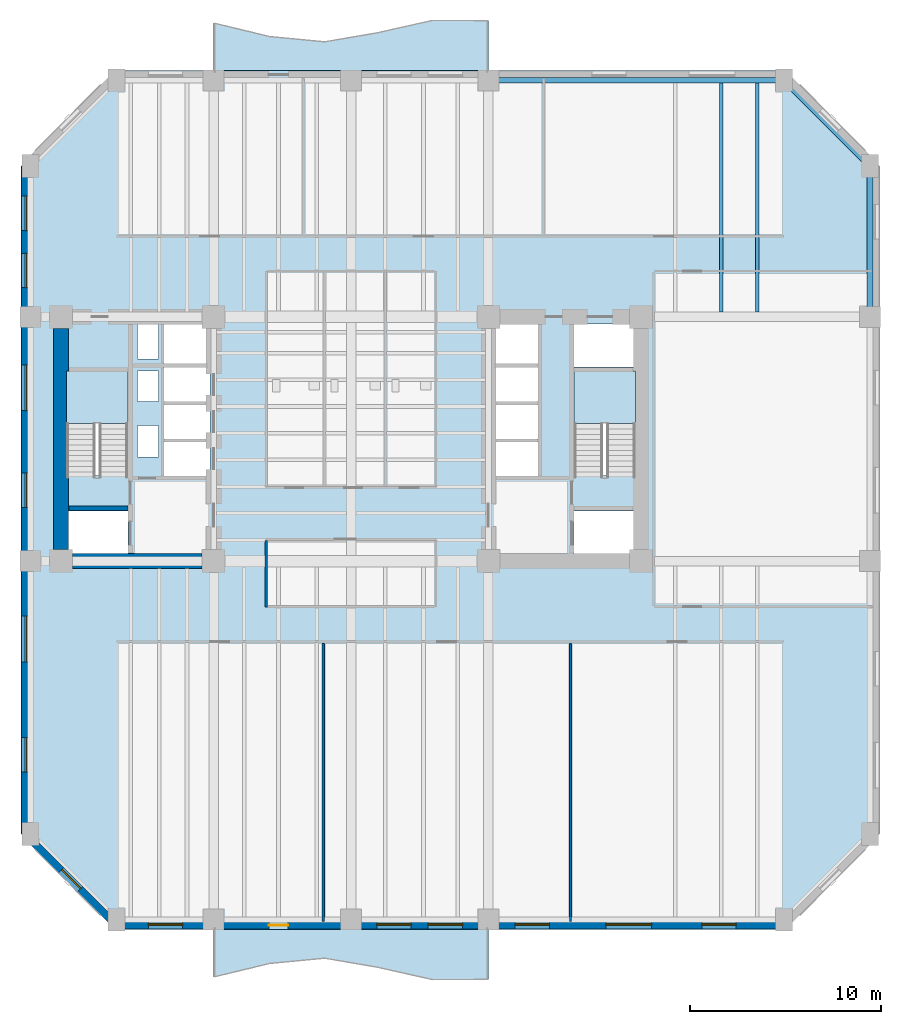
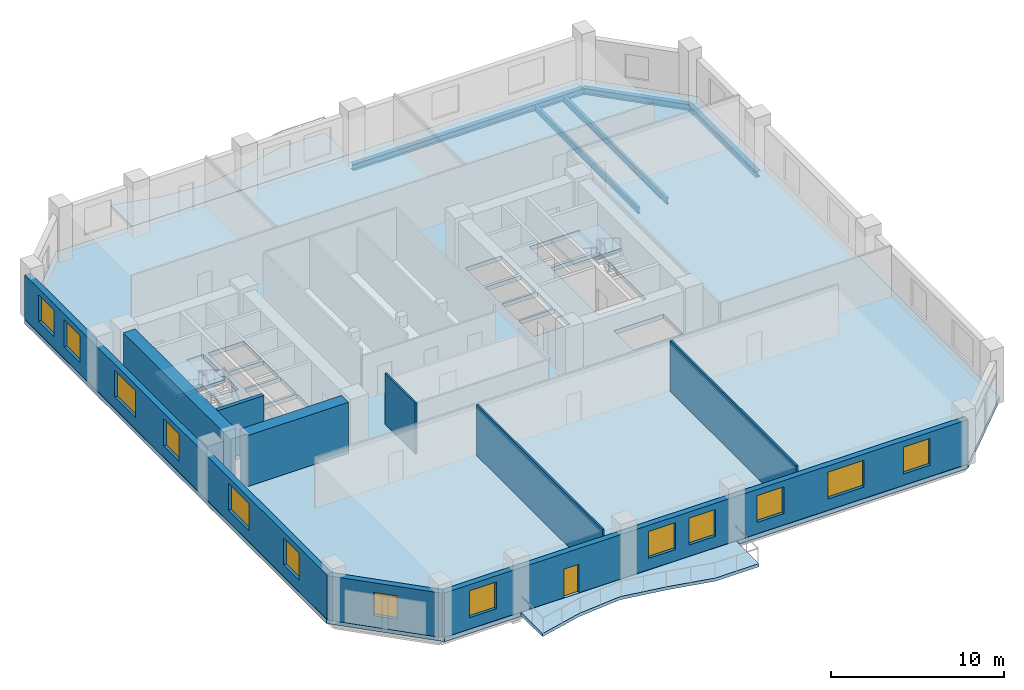
# One storey, part 2 of 9: 13 windows, 9 walls, 5 beams, 5 slabs, 1 door, 14 openings, 2 elements without a shape of their own.
"""IFC4 building model written with IfcOpenShell, lengths in metres."""

from ifc_helpers import new_model, si_unit, direction, frame, frame_2d, origin, origin_2d, place, context, subcontext, project, spatial, polyline, rectangle, i_section, outline, extrude, material, layer, layer_set, material_profile, profile_set, type_object, element, fill, aggregate, save


model = new_model("IFC4")

# Units and contexts
model_context = context("Model", 3, precision=1e-05, world=origin(), true_north=direction((0.0, 1.0)))
body_context = subcontext(model_context, "Body", "Model", "MODEL_VIEW")
ifc_project = project(units=[si_unit("LENGTHUNIT", "METRE"), si_unit("AREAUNIT", "SQUARE_METRE"), si_unit("VOLUMEUNIT", "CUBIC_METRE"), si_unit("PLANEANGLEUNIT", "RADIAN"), si_unit("MASSUNIT", "GRAM", prefix="KILO")], contexts=[model_context])

# Site, building, storey
site_placement = place(None, origin())
site = spatial("IfcSite", under=ifc_project, at=site_placement, CompositionType="ELEMENT")
building_placement = place(site_placement, origin())
building = spatial("IfcBuilding", under=site, at=building_placement, Name="Kranthara Brick Stack", CompositionType="ELEMENT")
storey_placement = place(building_placement, frame((0.0, 0.0, 55.5)))
storey = spatial("IfcBuildingStorey", under=building, at=storey_placement, Name="L13", CompositionType="ELEMENT", Elevation=55.5)

# Beams
ifc_material_1 = material(Name="Steel S355", Category="steel")
ifc_material_profile_1 = material_profile(ifc_material_1, i_section(OverallWidth=0.18994140625, OverallDepth=0.449951171875, WebThickness=0.009521484375, FlangeThickness=0.0146484375, at=origin_2d()), Name="IPE 450")
ifc_profile_set_1 = profile_set([ifc_material_profile_1], Name="Steel S355")
beam_type_1 = type_object("IfcBeamType", Name="BM-JST-IPE450", PredefinedType="JOIST", material=ifc_profile_set_1)
for number, where, z_axis, x_axis, name in (
    (1, (47.39990234375, 33.85009765625, -0.52490234375), (0.0, 1.0, 0.0), (-1.0, 0.0, 0.0), "L13 North Wing Floor Joist 073"),
    (2, (49.300048828125, 33.85009765625, -0.52490234375), (0.0, 1.0, 0.0), (-1.0, 0.0, 0.0), "L13 North Wing Floor Joist 075"),
):
    element("IfcBeam", number, at=place(storey_placement, frame(where, z_axis=z_axis, x_axis=x_axis)), inside=storey, type_object=beam_type_1, Name=name, PredefinedType="JOIST", context=body_context, shape_type="SweptSolid", body=[
        extrude(i_section(OverallWidth=0.18994140625, OverallDepth=0.449951171875, WebThickness=0.009521484375, FlangeThickness=0.0146484375, at=origin_2d()), origin(), (0.0, 0.0, 1.0), 12.0),
    ])
ifc_material_2 = material(Name="Steel S355", Category="steel")
ifc_material_profile_2 = material_profile(ifc_material_2, i_section(OverallWidth=0.300048828125, OverallDepth=0.449951171875, WebThickness=0.013916015625, FlangeThickness=0.02587890625, at=origin_2d()), Name="HEB 450")
ifc_profile_set_2 = profile_set([ifc_material_profile_2], Name="Steel S355")
beam_type_2 = type_object("IfcBeamType", Name="BM-STL-HEB450", PredefinedType="SPANDREL", material=ifc_profile_set_2)
beam_1_placement = place(storey_placement, frame((35.199951171875, 46.0, -0.52490234375), z_axis=(1.0, 0.0, 0.0), x_axis=(0.0, 1.0, 0.0)))
element("IfcBeam", 3, at=beam_1_placement, inside=storey, type_object=beam_type_2, Name="L13 Perimeter Spandrel Beam 012", PredefinedType="SPANDREL", context=body_context, shape_type="SweptSolid", body=[
    extrude(i_section(OverallWidth=0.300048828125, OverallDepth=0.449951171875, WebThickness=0.013916015625, FlangeThickness=0.02587890625, at=origin_2d()), origin(), (0.0, 0.0, 1.0), 15.5),
])
beam_2_placement = place(storey_placement, frame((55.199951171875, 33.60009765625, -0.52490234375), z_axis=(0.0, 1.0, 0.0), x_axis=(-1.0, 0.0, 0.0)))
element("IfcBeam", 4, at=beam_2_placement, inside=storey, type_object=beam_type_2, Name="L13 Perimeter Spandrel Beam 018", PredefinedType="SPANDREL", context=body_context, shape_type="SweptSolid", body=[
    extrude(i_section(OverallWidth=0.300048828125, OverallDepth=0.449951171875, WebThickness=0.013916015625, FlangeThickness=0.02587890625, at=origin_2d()), origin(), (0.0, 0.0, 1.0), 7.89990234375),
])
beam_3_placement = place(storey_placement, frame((50.699951171875, 46.0, -0.52490234375), z_axis=(0.707106781187, -0.707106781187, 0.0), x_axis=(0.707106781187, 0.707106781187, 0.0)))
element("IfcBeam", 5, at=beam_3_placement, inside=storey, type_object=beam_type_2, Name="L13 Chamfer Corner Spandrel 022", PredefinedType="SPANDREL", context=body_context, shape_type="SweptSolid", body=[
    extrude(i_section(OverallWidth=0.300048828125, OverallDepth=0.449951171875, WebThickness=0.013916015625, FlangeThickness=0.02587890625, at=origin_2d()), origin(), (0.0, 0.0, 1.0), 6.364013671875),
])

# Slabs
ifc_material_3 = material(Name="Concrete C45/55", Category="concrete")
ifc_layer_1 = layer(ifc_material_3, 0.219970703125)
ifc_layer_set_1 = layer_set([ifc_layer_1], Name="Concrete C45/55")
slab_type_1 = type_object("IfcSlabType", Name="SLB-BALC-220", PredefinedType="FLOOR", material=ifc_layer_set_1)
slab_1_placement = place(storey_placement, frame((0.0, 0.0, -0.219970703125)))
element("IfcSlab", 6, at=slab_1_placement, inside=storey, type_object=slab_type_1, Name="L13 South Rippling Balcony Slab", PredefinedType="FLOOR", context=body_context, shape_type="SweptSolid", body=[
    extrude(outline(polyline([(20.800048828125, 1.5), (35.199951171875, 1.5), (35.199951171875, -1.13671875), (32.320068359375, -1.148193359375), (29.43994140625, -0.501708984375), (26.56005859375, -0.01025390625), (23.679931640625, -0.291748046875), (20.800048828125, -0.992431640625), (20.800048828125, 1.5)])), origin(), (0.0, 0.0, 1.0), 0.219970703125),
])
slab_2_placement = place(storey_placement, frame((0.0, 0.0, -0.219970703125)))
element("IfcSlab", 7, at=slab_2_placement, inside=storey, type_object=slab_type_1, Name="L13 North Rippling Balcony Slab", PredefinedType="FLOOR", context=body_context, shape_type="SweptSolid", body=[
    extrude(outline(polyline([(35.199951171875, 46.5), (20.800048828125, 46.5), (20.800048828125, 48.992431640625), (23.679931640625, 48.291748046875), (26.56005859375, 48.01025390625), (29.43994140625, 48.501708984375), (32.320068359375, 49.148193359375), (35.199951171875, 49.13671875), (35.199951171875, 46.5)])), origin(), (0.0, 0.0, 1.0), 0.219970703125),
])

# Stair, slab
ifc_material_4 = material(Name="Concrete C45/55", Category="concrete")
stair_type = type_object("IfcStairType", Name="ST-CORE-22R", PredefinedType="HALF_TURN_STAIR", material=ifc_material_4)
stair_1_placement = place(storey_placement, origin())
stair_1 = element("IfcStair", 8, at=stair_1_placement, inside=storey, type_object=stair_type, Name="L13 West Core Protected Exit Stair ST01", PredefinedType="HALF_TURN_STAIR")
ifc_material_5 = material(Name="Concrete C45/55", Category="concrete")
ifc_layer_2 = layer(ifc_material_5, 0.199951171875)
ifc_layer_set_2 = layer_set([ifc_layer_2], Name="Concrete C45/55")
slab_type_2 = type_object("IfcSlabType", Name="SLB-LANDING-200", PredefinedType="LANDING", material=ifc_layer_set_2)
slab_3_placement = place(storey_placement, frame((0.0, 0.0, 1.75)))
slab_3 = element("IfcSlab", 9, at=slab_3_placement, type_object=slab_type_2, Name="ST01 landing 1", PredefinedType="LANDING", context=body_context, shape_type="SweptSolid", body=[
    extrude(outline(polyline([(16.300048828125, 28.0), (16.300048828125, 30.75), (13.10009765625, 30.75), (13.10009765625, 28.0), (16.300048828125, 28.0)])), origin(), (0.0, 0.0, 1.0), 0.199951171875),
])
aggregate(stair_1, [slab_3])

stair_2_placement = place(storey_placement, origin())
stair_2 = element("IfcStair", 10, at=stair_2_placement, inside=storey, type_object=stair_type, Name="L13 East Core Protected Exit Stair ST02", PredefinedType="HALF_TURN_STAIR")
slab_4_placement = place(storey_placement, frame((0.0, 0.0, 1.75)))
slab_4 = element("IfcSlab", 11, at=slab_4_placement, type_object=slab_type_2, Name="ST02 landing 1", PredefinedType="LANDING", context=body_context, shape_type="SweptSolid", body=[
    extrude(outline(polyline([(42.89990234375, 28.0), (42.89990234375, 30.75), (39.699951171875, 30.75), (39.699951171875, 28.0), (42.89990234375, 28.0)])), origin(), (0.0, 0.0, 1.0), 0.199951171875),
])
aggregate(stair_2, [slab_4])

# Slab
ifc_material_6 = material(Name="Post-tensioned concrete C45/55", Category="concrete")
ifc_layer_3 = layer(ifc_material_6, 0.300048828125)
ifc_layer_set_3 = layer_set([ifc_layer_3], Name="Post-tensioned concrete C45/55")
slab_type_3 = type_object("IfcSlabType", Name="SLB-TWR-300", PredefinedType="FLOOR", material=ifc_layer_set_3)
slab_5_placement = place(storey_placement, frame((0.0, 0.0, -0.300048828125)))
element("IfcSlab", 12, at=slab_5_placement, inside=storey, type_object=slab_type_3, Name="L13 Structural Floor Plate", PredefinedType="FLOOR", context=body_context, shape_type="SweptSolid", body=[
    extrude(outline(polyline([(15.699951171875, 1.5), (50.699951171875, 1.5), (55.699951171875, 6.5), (55.699951171875, 41.5), (50.699951171875, 46.5), (15.699951171875, 46.5), (10.699951171875, 41.5), (10.699951171875, 6.5), (15.699951171875, 1.5)]), holes=[polyline([(13.10009765625, 25.280029296875), (16.300048828125, 25.280029296875), (16.300048828125, 30.75), (13.10009765625, 30.75), (13.10009765625, 25.280029296875)]), polyline([(39.699951171875, 25.280029296875), (42.89990234375, 25.280029296875), (42.89990234375, 30.75), (39.699951171875, 30.75), (39.699951171875, 25.280029296875)]), polyline([(13.0, 21.179931640625), (16.320068359375, 21.179931640625), (16.320068359375, 23.419921875), (13.0, 23.419921875), (13.0, 21.179931640625)]), polyline([(39.679931640625, 21.179931640625), (43.0, 21.179931640625), (43.0, 23.419921875), (39.679931640625, 23.419921875), (39.679931640625, 21.179931640625)]), polyline([(39.679931640625, 30.97998046875), (43.0, 30.97998046875), (43.0, 33.219970703125), (39.679931640625, 33.219970703125), (39.679931640625, 30.97998046875)]), polyline([(18.199951171875, 25.25), (20.60009765625, 25.25), (20.60009765625, 27.050048828125), (18.199951171875, 27.050048828125), (18.199951171875, 25.25)]), polyline([(18.199951171875, 27.199951171875), (20.60009765625, 27.199951171875), (20.60009765625, 29.0), (18.199951171875, 29.0), (18.199951171875, 27.199951171875)]), polyline([(18.199951171875, 29.14990234375), (20.60009765625, 29.14990234375), (20.60009765625, 30.949951171875), (18.199951171875, 30.949951171875), (18.199951171875, 29.14990234375)]), polyline([(35.39990234375, 25.25), (37.800048828125, 25.25), (37.800048828125, 27.050048828125), (35.39990234375, 27.050048828125), (35.39990234375, 25.25)]), polyline([(35.39990234375, 27.199951171875), (37.800048828125, 27.199951171875), (37.800048828125, 29.0), (35.39990234375, 29.0), (35.39990234375, 27.199951171875)]), polyline([(35.39990234375, 29.14990234375), (37.800048828125, 29.14990234375), (37.800048828125, 30.949951171875), (35.39990234375, 30.949951171875), (35.39990234375, 29.14990234375)]), polyline([(18.199951171875, 31.14990234375), (20.60009765625, 31.14990234375), (20.60009765625, 33.219970703125), (18.199951171875, 33.219970703125), (18.199951171875, 31.14990234375)]), polyline([(35.39990234375, 31.14990234375), (37.800048828125, 31.14990234375), (37.800048828125, 33.219970703125), (35.39990234375, 33.219970703125), (35.39990234375, 31.14990234375)]), polyline([(16.800048828125, 26.25), (17.89990234375, 26.25), (17.89990234375, 27.89990234375), (16.800048828125, 27.89990234375), (16.800048828125, 26.25)]), polyline([(16.800048828125, 29.14990234375), (17.89990234375, 29.14990234375), (17.89990234375, 30.75), (16.800048828125, 30.75), (16.800048828125, 29.14990234375)]), polyline([(16.800048828125, 31.39990234375), (17.89990234375, 31.39990234375), (17.89990234375, 33.25), (16.800048828125, 33.25), (16.800048828125, 31.39990234375)])]), origin(), (0.0, 0.0, 1.0), 0.300048828125),
])

# Wall, openings, door, windows
ifc_material_7 = material(Name="Kiln-fired clay brick masonry M15", Category="masonry")
ifc_layer_4 = layer(ifc_material_7, 0.3798828125)
ifc_layer_set_4 = layer_set([ifc_layer_4], Name="Kiln-fired clay brick masonry M15")
wall_type_1 = type_object("IfcWallType", Name="WL-BRK-PIER-380", PredefinedType="STANDARD", material=ifc_layer_set_4)
wall_1_placement = place(storey_placement, frame((50.699951171875, 1.7099609375, 0.0), z_axis=(0.0, 0.0, 1.0), x_axis=(-1.0, 0.0, 0.0)))
wall_1 = element("IfcWall", 13, at=wall_1_placement, inside=storey, type_object=wall_type_1, Name="L13 Exterior Brick Facade Wall SOUTH 1", PredefinedType="STANDARD", context=body_context, shape_type="SweptSolid", body=[
    extrude(rectangle(XDim=35.0, YDim=0.3798828125, at=frame_2d((17.5, 0.0))), origin(), (0.0, 0.0, 1.0), 3.135009765625),
])
opening_1_placement = place(wall_1_placement, frame((26.0, 0.0, 0.0)))
opening_1 = element("IfcOpeningElement", 14, at=opening_1_placement, cuts=wall_1, Name="Opening D03", PredefinedType="OPENING", context=body_context, shape_type="SweptSolid", body=[
    extrude(rectangle(XDim=1.0, YDim=2.02001953125, at=frame_2d((0.5, 1.010009765625))), frame((0.0, 0.199951171875, 0.0), z_axis=(0.0, -1.0, 0.0), x_axis=(1.0, 0.0, 0.0)), (0.0, 0.0, 1.0), 0.39990234375),
])
opening_2_placement = place(wall_1_placement, frame((2.510986328125, 0.0, 0.800048828125)))
opening_2 = element("IfcOpeningElement", 15, at=opening_2_placement, cuts=wall_1, Name="Opening WN01", PredefinedType="OPENING", context=body_context, shape_type="SweptSolid", body=[
    extrude(rectangle(XDim=1.800048828125, YDim=1.89990234375, at=frame_2d((0.89990234375, 0.949951171875))), frame((0.0, 0.199951171875, 0.0), z_axis=(0.0, -1.0, 0.0), x_axis=(1.0, 0.0, 0.0)), (0.0, 0.0, 1.0), 0.39990234375),
])
opening_3_placement = place(wall_1_placement, frame((6.93896484375, 0.0, 0.800048828125)))
opening_3 = element("IfcOpeningElement", 16, at=opening_3_placement, cuts=wall_1, Name="Opening WN02", PredefinedType="OPENING", context=body_context, shape_type="SweptSolid", body=[
    extrude(rectangle(XDim=2.39990234375, YDim=1.89990234375, at=frame_2d((1.199951171875, 0.949951171875))), frame((0.0, 0.199951171875, 0.0), z_axis=(0.0, -1.0, 0.0), x_axis=(1.0, 0.0, 0.0)), (0.0, 0.0, 1.0), 0.39990234375),
])
opening_4_placement = place(wall_1_placement, frame((12.300048828125, 0.0, 0.800048828125)))
opening_4 = element("IfcOpeningElement", 17, at=opening_4_placement, cuts=wall_1, Name="Opening WN01", PredefinedType="OPENING", context=body_context, shape_type="SweptSolid", body=[
    extrude(rectangle(XDim=1.800048828125, YDim=1.89990234375, at=frame_2d((0.89990234375, 0.949951171875))), frame((0.0, 0.199951171875, 0.0), z_axis=(0.0, -1.0, 0.0), x_axis=(1.0, 0.0, 0.0)), (0.0, 0.0, 1.0), 0.39990234375),
])
opening_5_placement = place(wall_1_placement, frame((16.85595703125, 0.0, 0.800048828125)))
opening_5 = element("IfcOpeningElement", 18, at=opening_5_placement, cuts=wall_1, Name="Opening WN01", PredefinedType="OPENING", context=body_context, shape_type="SweptSolid", body=[
    extrude(rectangle(XDim=1.800048828125, YDim=1.89990234375, at=frame_2d((0.89990234375, 0.949951171875))), frame((0.0, 0.199951171875, 0.0), z_axis=(0.0, -1.0, 0.0), x_axis=(1.0, 0.0, 0.0)), (0.0, 0.0, 1.0), 0.39990234375),
])
opening_6_placement = place(wall_1_placement, frame((19.5439453125, 0.0, 0.800048828125)))
opening_6 = element("IfcOpeningElement", 19, at=opening_6_placement, cuts=wall_1, Name="Opening WN01", PredefinedType="OPENING", context=body_context, shape_type="SweptSolid", body=[
    extrude(rectangle(XDim=1.800048828125, YDim=1.89990234375, at=frame_2d((0.89990234375, 0.949951171875))), frame((0.0, 0.199951171875, 0.0), z_axis=(0.0, -1.0, 0.0), x_axis=(1.0, 0.0, 0.0)), (0.0, 0.0, 1.0), 0.39990234375),
])
opening_7_placement = place(wall_1_placement, frame((31.52490234375, 0.0, 0.800048828125)))
opening_7 = element("IfcOpeningElement", 20, at=opening_7_placement, cuts=wall_1, Name="Opening WN01", PredefinedType="OPENING", context=body_context, shape_type="SweptSolid", body=[
    extrude(rectangle(XDim=1.800048828125, YDim=1.89990234375, at=frame_2d((0.89990234375, 0.949951171875))), frame((0.0, 0.199951171875, 0.0), z_axis=(0.0, -1.0, 0.0), x_axis=(1.0, 0.0, 0.0)), (0.0, 0.0, 1.0), 0.39990234375),
])
ifc_material_8 = material(Name="Bronze anodised aluminium and laminated glass", Category="aluminium")
door_type = type_object("IfcDoorType", Name="DR-BALC-1000", OperationType="NOTDEFINED", PredefinedType="DOOR", material=ifc_material_8)
door_placement = place(opening_1_placement, origin())
door = element("IfcDoor", 21, at=door_placement, inside=storey, type_object=door_type, Name="L13 South Balcony Terrace Door", OperationType="SINGLE_SWING_LEFT", OverallHeight=2.02001953125, OverallWidth=1.0, PredefinedType="DOOR", context=body_context, shape_type="SweptSolid", body=[
    extrude(rectangle(XDim=1.0, YDim=2.02001953125, at=frame_2d((0.5, 1.010009765625))), frame((0.0, 0.02490234375, 0.0), z_axis=(0.0, -1.0, 0.0), x_axis=(1.0, 0.0, 0.0)), (0.0, 0.0, 1.0), 0.050048828125),
])
fill(opening_1, door)
ifc_material_9 = material(Name="Double-glazed low-E solar control glass", Category="glass")
window_type_1 = type_object("IfcWindowType", Name="WN-OFF-1800x2000", PartitioningType="SINGLE_PANEL", PredefinedType="WINDOW", material=ifc_material_9)
window_1_placement = place(opening_2_placement, origin())
window_1 = element("IfcWindow", 22, at=window_1_placement, inside=storey, type_object=window_type_1, Name="L13 South Deep-Set Brick Window 01", OverallHeight=1.89990234375, OverallWidth=1.800048828125, PartitioningType="SINGLE_PANEL", PredefinedType="WINDOW", context=body_context, shape_type="SweptSolid", body=[
    extrude(rectangle(XDim=1.800048828125, YDim=1.89990234375, at=frame_2d((0.89990234375, 0.949951171875))), frame((0.0, -0.010009765625, 0.0), z_axis=(0.0, -1.0, 0.0), x_axis=(1.0, 0.0, 0.0)), (0.0, 0.0, 1.0), 0.06005859375),
])
fill(opening_2, window_1)
window_2_placement = place(opening_4_placement, origin())
window_2 = element("IfcWindow", 23, at=window_2_placement, inside=storey, type_object=window_type_1, Name="L13 South Deep-Set Brick Window 03", OverallHeight=1.89990234375, OverallWidth=1.800048828125, PartitioningType="SINGLE_PANEL", PredefinedType="WINDOW", context=body_context, shape_type="SweptSolid", body=[
    extrude(rectangle(XDim=1.800048828125, YDim=1.89990234375, at=frame_2d((0.89990234375, 0.949951171875))), frame((0.0, -0.010009765625, 0.0), z_axis=(0.0, -1.0, 0.0), x_axis=(1.0, 0.0, 0.0)), (0.0, 0.0, 1.0), 0.06005859375),
])
fill(opening_4, window_2)
window_3_placement = place(opening_5_placement, origin())
window_3 = element("IfcWindow", 24, at=window_3_placement, inside=storey, type_object=window_type_1, Name="L13 South Deep-Set Brick Window 04", OverallHeight=1.89990234375, OverallWidth=1.800048828125, PartitioningType="SINGLE_PANEL", PredefinedType="WINDOW", context=body_context, shape_type="SweptSolid", body=[
    extrude(rectangle(XDim=1.800048828125, YDim=1.89990234375, at=frame_2d((0.89990234375, 0.949951171875))), frame((0.0, -0.010009765625, 0.0), z_axis=(0.0, -1.0, 0.0), x_axis=(1.0, 0.0, 0.0)), (0.0, 0.0, 1.0), 0.06005859375),
])
fill(opening_5, window_3)
window_4_placement = place(opening_6_placement, origin())
window_4 = element("IfcWindow", 25, at=window_4_placement, inside=storey, type_object=window_type_1, Name="L13 South Deep-Set Brick Window 05", OverallHeight=1.89990234375, OverallWidth=1.800048828125, PartitioningType="SINGLE_PANEL", PredefinedType="WINDOW", context=body_context, shape_type="SweptSolid", body=[
    extrude(rectangle(XDim=1.800048828125, YDim=1.89990234375, at=frame_2d((0.89990234375, 0.949951171875))), frame((0.0, -0.010009765625, 0.0), z_axis=(0.0, -1.0, 0.0), x_axis=(1.0, 0.0, 0.0)), (0.0, 0.0, 1.0), 0.06005859375),
])
fill(opening_6, window_4)
window_5_placement = place(opening_7_placement, origin())
window_5 = element("IfcWindow", 26, at=window_5_placement, inside=storey, type_object=window_type_1, Name="L13 South Deep-Set Brick Window 06", OverallHeight=1.89990234375, OverallWidth=1.800048828125, PartitioningType="SINGLE_PANEL", PredefinedType="WINDOW", context=body_context, shape_type="SweptSolid", body=[
    extrude(rectangle(XDim=1.800048828125, YDim=1.89990234375, at=frame_2d((0.89990234375, 0.949951171875))), frame((0.0, -0.010009765625, 0.0), z_axis=(0.0, -1.0, 0.0), x_axis=(1.0, 0.0, 0.0)), (0.0, 0.0, 1.0), 0.06005859375),
])
fill(opening_7, window_5)
ifc_material_10 = material(Name="Double-glazed low-E solar control glass", Category="glass")
window_type_2 = type_object("IfcWindowType", Name="WN-OFF-2400x2000", PartitioningType="DOUBLE_PANEL_VERTICAL", PredefinedType="WINDOW", material=ifc_material_10)
window_6_placement = place(opening_3_placement, origin())
window_6 = element("IfcWindow", 27, at=window_6_placement, inside=storey, type_object=window_type_2, Name="L13 South Deep-Set Brick Window 02", OverallHeight=1.89990234375, OverallWidth=2.39990234375, PartitioningType="SINGLE_PANEL", PredefinedType="WINDOW", context=body_context, shape_type="SweptSolid", body=[
    extrude(rectangle(XDim=2.39990234375, YDim=1.89990234375, at=frame_2d((1.199951171875, 0.949951171875))), frame((0.0, -0.010009765625, 0.0), z_axis=(0.0, -1.0, 0.0), x_axis=(1.0, 0.0, 0.0)), (0.0, 0.0, 1.0), 0.06005859375),
])
fill(opening_3, window_6)

# Wall, opening, window
wall_2_placement = place(storey_placement, frame((15.699951171875, 1.7099609375, 0.0), z_axis=(0.0, 0.0, 1.0), x_axis=(-0.707106781187, 0.707106781187, 0.0)))
wall_2 = element("IfcWall", 28, at=wall_2_placement, inside=storey, type_object=wall_type_1, Name="L13 Exterior Brick Facade Wall SW 1", PredefinedType="STANDARD", context=body_context, shape_type="SweptSolid", body=[
    extrude(rectangle(XDim=6.774169921875, YDim=0.3798828125, at=frame_2d((3.38720703125, 0.0))), origin(), (0.0, 0.0, 1.0), 3.135009765625),
])
opening_8_placement = place(wall_2_placement, frame((2.68701171875, 0.0, 0.800048828125)))
opening_8 = element("IfcOpeningElement", 29, at=opening_8_placement, cuts=wall_2, Name="Opening WN10", PredefinedType="OPENING", context=body_context, shape_type="SweptSolid", body=[
    extrude(rectangle(XDim=1.39990234375, YDim=1.64990234375, at=frame_2d((0.699951171875, 0.824951171875))), frame((0.0, 0.199951171875, 0.0), z_axis=(0.0, -1.0, 0.0), x_axis=(1.0, 0.0, 0.0)), (0.0, 0.0, 1.0), 0.39990234375),
])
ifc_material_11 = material(Name="Double-glazed low-E solar control glass", Category="glass")
window_type_3 = type_object("IfcWindowType", Name="WN-CHM-1400x1750", PartitioningType="SINGLE_PANEL", PredefinedType="WINDOW", material=ifc_material_11)
window_7_placement = place(opening_8_placement, origin())
window_7 = element("IfcWindow", 30, at=window_7_placement, inside=storey, type_object=window_type_3, Name="L13 SW Chamfer Corner Window", OverallHeight=1.64990234375, OverallWidth=1.39990234375, PartitioningType="SINGLE_PANEL", PredefinedType="WINDOW", context=body_context, shape_type="SweptSolid", body=[
    extrude(rectangle(XDim=1.39990234375, YDim=1.64990234375, at=frame_2d((0.699951171875, 0.824951171875))), frame((0.0, -0.010009765625, 0.0), z_axis=(0.0, -1.0, 0.0), x_axis=(1.0, 0.0, 0.0)), (0.0, 0.0, 1.0), 0.06005859375),
])
fill(opening_8, window_7)

# Wall, openings, windows
wall_3_placement = place(storey_placement, frame((10.909912109375, 6.5, 0.0), z_axis=(0.0, 0.0, 1.0), x_axis=(0.0, 1.0, 0.0)))
wall_3 = element("IfcWall", 31, at=wall_3_placement, inside=storey, type_object=wall_type_1, Name="L13 Exterior Brick Facade Wall WEST 1", PredefinedType="STANDARD", context=body_context, shape_type="SweptSolid", body=[
    extrude(rectangle(XDim=35.0, YDim=0.3798828125, at=frame_2d((17.5, 0.0))), origin(), (0.0, 0.0, 1.0), 3.135009765625),
])
opening_9_placement = place(wall_3_placement, frame((3.239013671875, 0.0, 0.800048828125)))
opening_9 = element("IfcOpeningElement", 32, at=opening_9_placement, cuts=wall_3, Name="Opening WN01", PredefinedType="OPENING", context=body_context, shape_type="SweptSolid", body=[
    extrude(rectangle(XDim=1.800048828125, YDim=1.89990234375, at=frame_2d((0.89990234375, 0.949951171875))), frame((0.0, 0.199951171875, 0.0), z_axis=(0.0, -1.0, 0.0), x_axis=(1.0, 0.0, 0.0)), (0.0, 0.0, 1.0), 0.39990234375),
])
opening_10_placement = place(wall_3_placement, frame((9.010986328125, 0.0, 0.800048828125)))
opening_10 = element("IfcOpeningElement", 33, at=opening_10_placement, cuts=wall_3, Name="Opening WN02", PredefinedType="OPENING", context=body_context, shape_type="SweptSolid", body=[
    extrude(rectangle(XDim=2.39990234375, YDim=1.89990234375, at=frame_2d((1.199951171875, 0.949951171875))), frame((0.0, 0.199951171875, 0.0), z_axis=(0.0, -1.0, 0.0), x_axis=(1.0, 0.0, 0.0)), (0.0, 0.0, 1.0), 0.39990234375),
])
opening_11_placement = place(wall_3_placement, frame((17.112060546875, 0.0, 0.800048828125)))
opening_11 = element("IfcOpeningElement", 34, at=opening_11_placement, cuts=wall_3, Name="Opening WN01", PredefinedType="OPENING", context=body_context, shape_type="SweptSolid", body=[
    extrude(rectangle(XDim=1.800048828125, YDim=1.89990234375, at=frame_2d((0.89990234375, 0.949951171875))), frame((0.0, 0.199951171875, 0.0), z_axis=(0.0, -1.0, 0.0), x_axis=(1.0, 0.0, 0.0)), (0.0, 0.0, 1.0), 0.39990234375),
])
opening_12_placement = place(wall_3_placement, frame((22.18798828125, 0.0, 0.800048828125)))
opening_12 = element("IfcOpeningElement", 35, at=opening_12_placement, cuts=wall_3, Name="Opening WN02", PredefinedType="OPENING", context=body_context, shape_type="SweptSolid", body=[
    extrude(rectangle(XDim=2.39990234375, YDim=1.89990234375, at=frame_2d((1.199951171875, 0.949951171875))), frame((0.0, 0.199951171875, 0.0), z_axis=(0.0, -1.0, 0.0), x_axis=(1.0, 0.0, 0.0)), (0.0, 0.0, 1.0), 0.39990234375),
])
opening_13_placement = place(wall_3_placement, frame((28.625, 0.0, 0.800048828125)))
opening_13 = element("IfcOpeningElement", 36, at=opening_13_placement, cuts=wall_3, Name="Opening WN01", PredefinedType="OPENING", context=body_context, shape_type="SweptSolid", body=[
    extrude(rectangle(XDim=1.800048828125, YDim=1.89990234375, at=frame_2d((0.89990234375, 0.949951171875))), frame((0.0, 0.199951171875, 0.0), z_axis=(0.0, -1.0, 0.0), x_axis=(1.0, 0.0, 0.0)), (0.0, 0.0, 1.0), 0.39990234375),
])
opening_14_placement = place(wall_3_placement, frame((31.625, 0.0, 0.800048828125)))
opening_14 = element("IfcOpeningElement", 37, at=opening_14_placement, cuts=wall_3, Name="Opening WN01", PredefinedType="OPENING", context=body_context, shape_type="SweptSolid", body=[
    extrude(rectangle(XDim=1.800048828125, YDim=1.89990234375, at=frame_2d((0.89990234375, 0.949951171875))), frame((0.0, 0.199951171875, 0.0), z_axis=(0.0, -1.0, 0.0), x_axis=(1.0, 0.0, 0.0)), (0.0, 0.0, 1.0), 0.39990234375),
])
window_8_placement = place(opening_9_placement, origin())
window_8 = element("IfcWindow", 38, at=window_8_placement, inside=storey, type_object=window_type_1, Name="L13 West Deep-Set Brick Window 01", OverallHeight=1.89990234375, OverallWidth=1.800048828125, PartitioningType="SINGLE_PANEL", PredefinedType="WINDOW", context=body_context, shape_type="SweptSolid", body=[
    extrude(rectangle(XDim=1.800048828125, YDim=1.89990234375, at=frame_2d((0.89990234375, 0.949951171875))), frame((0.0, -0.010009765625, 0.0), z_axis=(0.0, -1.0, 0.0), x_axis=(1.0, 0.0, 0.0)), (0.0, 0.0, 1.0), 0.06005859375),
])
fill(opening_9, window_8)
window_9_placement = place(opening_11_placement, origin())
window_9 = element("IfcWindow", 39, at=window_9_placement, inside=storey, type_object=window_type_1, Name="L13 West Deep-Set Brick Window 03", OverallHeight=1.89990234375, OverallWidth=1.800048828125, PartitioningType="SINGLE_PANEL", PredefinedType="WINDOW", context=body_context, shape_type="SweptSolid", body=[
    extrude(rectangle(XDim=1.800048828125, YDim=1.89990234375, at=frame_2d((0.89990234375, 0.949951171875))), frame((0.0, -0.010009765625, 0.0), z_axis=(0.0, -1.0, 0.0), x_axis=(1.0, 0.0, 0.0)), (0.0, 0.0, 1.0), 0.06005859375),
])
fill(opening_11, window_9)
window_10_placement = place(opening_13_placement, origin())
window_10 = element("IfcWindow", 40, at=window_10_placement, inside=storey, type_object=window_type_1, Name="L13 West Deep-Set Brick Window 05", OverallHeight=1.89990234375, OverallWidth=1.800048828125, PartitioningType="SINGLE_PANEL", PredefinedType="WINDOW", context=body_context, shape_type="SweptSolid", body=[
    extrude(rectangle(XDim=1.800048828125, YDim=1.89990234375, at=frame_2d((0.89990234375, 0.949951171875))), frame((0.0, -0.010009765625, 0.0), z_axis=(0.0, -1.0, 0.0), x_axis=(1.0, 0.0, 0.0)), (0.0, 0.0, 1.0), 0.06005859375),
])
fill(opening_13, window_10)
window_11_placement = place(opening_14_placement, origin())
window_11 = element("IfcWindow", 41, at=window_11_placement, inside=storey, type_object=window_type_1, Name="L13 West Deep-Set Brick Window 06", OverallHeight=1.89990234375, OverallWidth=1.800048828125, PartitioningType="SINGLE_PANEL", PredefinedType="WINDOW", context=body_context, shape_type="SweptSolid", body=[
    extrude(rectangle(XDim=1.800048828125, YDim=1.89990234375, at=frame_2d((0.89990234375, 0.949951171875))), frame((0.0, -0.010009765625, 0.0), z_axis=(0.0, -1.0, 0.0), x_axis=(1.0, 0.0, 0.0)), (0.0, 0.0, 1.0), 0.06005859375),
])
fill(opening_14, window_11)
window_12_placement = place(opening_10_placement, origin())
window_12 = element("IfcWindow", 42, at=window_12_placement, inside=storey, type_object=window_type_2, Name="L13 West Deep-Set Brick Window 02", OverallHeight=1.89990234375, OverallWidth=2.39990234375, PartitioningType="SINGLE_PANEL", PredefinedType="WINDOW", context=body_context, shape_type="SweptSolid", body=[
    extrude(rectangle(XDim=2.39990234375, YDim=1.89990234375, at=frame_2d((1.199951171875, 0.949951171875))), frame((0.0, -0.010009765625, 0.0), z_axis=(0.0, -1.0, 0.0), x_axis=(1.0, 0.0, 0.0)), (0.0, 0.0, 1.0), 0.06005859375),
])
fill(opening_10, window_12)
window_13_placement = place(opening_12_placement, origin())
window_13 = element("IfcWindow", 43, at=window_13_placement, inside=storey, type_object=window_type_2, Name="L13 West Deep-Set Brick Window 04", OverallHeight=1.89990234375, OverallWidth=2.39990234375, PartitioningType="SINGLE_PANEL", PredefinedType="WINDOW", context=body_context, shape_type="SweptSolid", body=[
    extrude(rectangle(XDim=2.39990234375, YDim=1.89990234375, at=frame_2d((1.199951171875, 0.949951171875))), frame((0.0, -0.010009765625, 0.0), z_axis=(0.0, -1.0, 0.0), x_axis=(1.0, 0.0, 0.0)), (0.0, 0.0, 1.0), 0.06005859375),
])
fill(opening_12, window_13)

# Walls
ifc_material_12 = material(Name="Concrete C50/60", Category="concrete")
ifc_layer_5 = layer(ifc_material_12, 0.25)
ifc_layer_set_5 = layer_set([ifc_layer_5], Name="Concrete C50/60")
wall_type_2 = type_object("IfcWallType", Name="WL-CORE-250", PredefinedType="SHEAR", material=ifc_layer_set_5)
wall_4_placement = place(storey_placement, frame((13.2099609375, 23.570068359375, 0.0), z_axis=(0.0, 0.0, 1.0), x_axis=(1.0, 0.0, 0.0)))
element("IfcWall", 44, at=wall_4_placement, inside=storey, type_object=wall_type_2, Name="L13 West Stairwell Bearing Wall WFF", PredefinedType="SHEAR", context=body_context, shape_type="SweptSolid", body=[
    extrude(rectangle(XDim=3.10009765625, YDim=0.25, at=frame_2d((1.550048828125, 0.0))), origin(), (0.0, 0.0, 1.0), 3.60009765625),
])
ifc_material_13 = material(Name="Concrete C70/85", Category="concrete")
ifc_layer_6 = layer(ifc_material_13, 0.800048828125)
ifc_layer_set_6 = layer_set([ifc_layer_6], Name="Concrete C70/85")
wall_type_3 = type_object("IfcWallType", Name="WL-CORE-800", PredefinedType="SHEAR", material=ifc_layer_set_6)
wall_5_placement = place(storey_placement, frame((12.800048828125, 21.405029296875, 0.0), z_axis=(0.0, 0.0, 1.0), x_axis=(0.0, 1.0, 0.0)))
element("IfcWall", 45, at=wall_5_placement, inside=storey, type_object=wall_type_3, Name="L13 West Core Shear Wall West", PredefinedType="SHEAR", context=body_context, shape_type="SweptSolid", body=[
    extrude(rectangle(XDim=11.590087890625, YDim=0.800048828125, at=frame_2d((5.794921875, 0.0))), origin(), (0.0, 0.0, 1.0), 3.60009765625),
])
wall_6_placement = place(storey_placement, frame((13.405029296875, 20.800048828125, 0.0), z_axis=(0.0, 0.0, 1.0), x_axis=(1.0, 0.0, 0.0)))
element("IfcWall", 46, at=wall_6_placement, inside=storey, type_object=wall_type_3, Name="L13 West Core Shear Wall South", PredefinedType="SHEAR", context=body_context, shape_type="SweptSolid", body=[
    extrude(rectangle(XDim=6.7900390625, YDim=0.800048828125, at=frame_2d((3.39501953125, 0.0))), origin(), (0.0, 0.0, 1.0), 3.60009765625),
])
ifc_material_14 = material(Name="Acoustic gypsum plasterboard partition", Category="other")
ifc_layer_7 = layer(ifc_material_14, 0.1201171875)
ifc_layer_set_7 = layer_set([ifc_layer_7], Name="Acoustic gypsum plasterboard partition")
wall_type_4 = type_object("IfcWallType", Name="WL-PART-120", PredefinedType="PARTITIONING", material=ifc_layer_set_7)
wall_7_placement = place(storey_placement, frame((23.550048828125, 18.39990234375, 0.0), z_axis=(0.0, 0.0, 1.0), x_axis=(0.0, 1.0, 0.0)))
element("IfcWall", 47, at=wall_7_placement, inside=storey, type_object=wall_type_4, Name="L13 Interior Partition 008", PredefinedType="PARTITIONING", context=body_context, shape_type="SweptSolid", body=[
    extrude(rectangle(XDim=3.485107421875, YDim=0.1201171875, at=frame_2d((1.74267578125, 0.0))), origin(), (0.0, 0.0, 1.0), 3.60009765625),
])
for number, where, z_axis, x_axis, name in (
    (48, (26.550048828125, 1.905029296875, 0.0), (0.0, 0.0, 1.0), (0.0, 1.0, 0.0), "L13 Interior Partition 012"),
    (49, (39.5, 1.905029296875, 0.0), (0.0, 0.0, 1.0), (0.0, 1.0, 0.0), "L13 Interior Partition 013"),
):
    element("IfcWall", number, at=place(storey_placement, frame(where, z_axis=z_axis, x_axis=x_axis)), inside=storey, type_object=wall_type_4, Name=name, PredefinedType="PARTITIONING", context=body_context, shape_type="SweptSolid", body=[
        extrude(rectangle(XDim=14.574951171875, YDim=0.1201171875, at=frame_2d((7.28759765625, 0.0))), origin(), (0.0, 0.0, 1.0), 3.60009765625),
    ])

save(model, "model.ifc")
